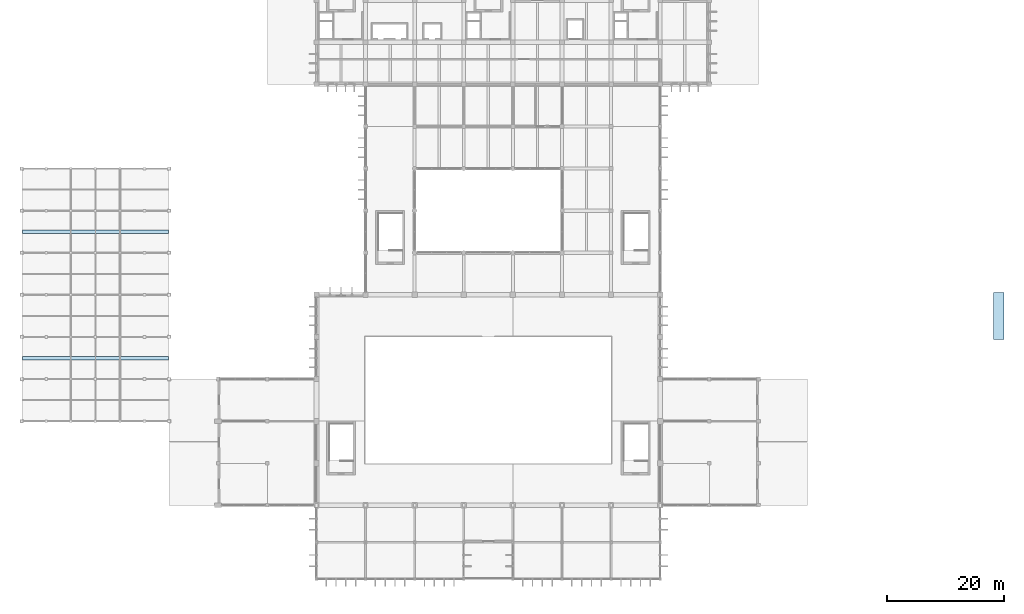
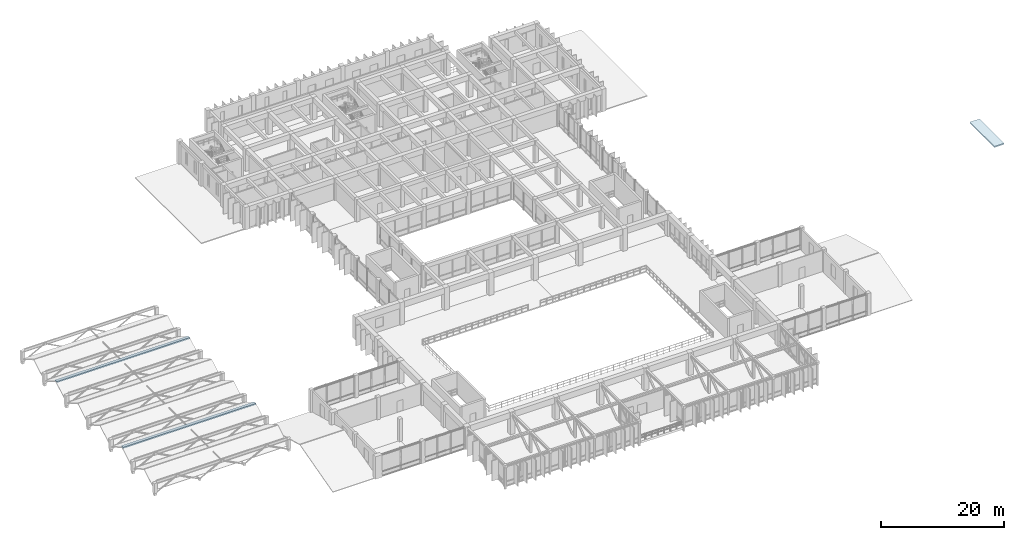
# One storey, part 32 of 40: 3 roofs.
"""IFC4 building model written with IfcOpenShell, lengths in metres."""

from ifc_helpers import new_model, si_unit, direction, frame, origin, origin_2d, place, context, subcontext, project, spatial, rectangle, extrude, material, layer, layer_set, type_object, element, save


model = new_model("IFC4")

# Units and contexts
model_context = context("Model", 3, precision=1e-05, world=origin(), true_north=direction((0.0, 1.0)))
body_context = subcontext(model_context, "Body", "Model", "MODEL_VIEW")
ifc_project = project(units=[si_unit("LENGTHUNIT", "METRE"), si_unit("AREAUNIT", "SQUARE_METRE"), si_unit("VOLUMEUNIT", "CUBIC_METRE"), si_unit("PLANEANGLEUNIT", "RADIAN"), si_unit("MASSUNIT", "GRAM", prefix="KILO")], contexts=[model_context])

# Site, building, storey
site_placement = place(None, origin())
site = spatial("IfcSite", under=ifc_project, at=site_placement, CompositionType="ELEMENT")
building_placement = place(site_placement, origin())
building = spatial("IfcBuilding", under=site, at=building_placement, Name="Kenerak Square Central Library", CompositionType="ELEMENT")
storey_placement = place(building_placement, frame((0.0, 0.0, 14.39990234375)))
storey = spatial("IfcBuildingStorey", under=building, at=storey_placement, Name="L03", CompositionType="ELEMENT", Elevation=14.39990234375)

# Roofs
ifc_material = material(Name="Precast concrete C40/50", Category="concrete")
ifc_layer_1 = layer(ifc_material, 0.179931640625)
ifc_layer_set_1 = layer_set([ifc_layer_1], Name="Precast concrete C40/50")
roof_type_1 = type_object("IfcRoofType", Name="Folded Acoustic Pitched Roof RF-GABLE", PredefinedType="GABLE_ROOF", material=ifc_layer_set_1)
for number, where, z_axis, x_axis, name in (
    (1, (20.60009765625, 42.0, 2.30029296875), (0.0, 0.0, 1.0), (1.0, 0.0, 0.0), "Auditorium Folded Roof Ridge A"),
    (2, (20.60009765625, 63.60009765625, 2.30029296875), (0.0, 0.0, 1.0), (1.0, 0.0, 0.0), "Auditorium Folded Roof Ridge B"),
):
    element("IfcRoof", number, at=place(storey_placement, frame(where, z_axis=z_axis, x_axis=x_axis)), inside=storey, type_object=roof_type_1, Name=name, PredefinedType="GABLE_ROOF", context=body_context, shape_type="SweptSolid", body=[
        extrude(rectangle(XDim=25.0, YDim=0.60009765625, at=origin_2d()), origin(), (0.0, 0.0, 1.0), 0.239990234375),
    ])
ifc_layer_2 = layer(ifc_material, 0.179931640625)
ifc_layer_set_2 = layer_set([ifc_layer_2], Name="Precast concrete C40/50")
roof_type_2 = type_object("IfcRoofType", Name="Monopitch Standing-Seam Pavilion Roof RF-SHED", PredefinedType="SHED_ROOF", material=ifc_layer_set_2)
roof_placement = place(storey_placement, frame((175.10009765625, 49.199951171875, 1.97998046875), z_axis=(0.0, 0.0, 1.0), x_axis=(1.0, 0.0, 0.0)))
element("IfcRoof", 3, at=roof_placement, inside=storey, type_object=roof_type_2, Name="Children Pavilion Monopitch Roof Ridge", PredefinedType="SHED_ROOF", context=body_context, shape_type="SweptSolid", body=[
    extrude(rectangle(XDim=1.800048828125, YDim=8.0, at=origin_2d()), origin(), (0.0, 0.0, 1.0), 0.239990234375),
])

save(model, "model.ifc")
